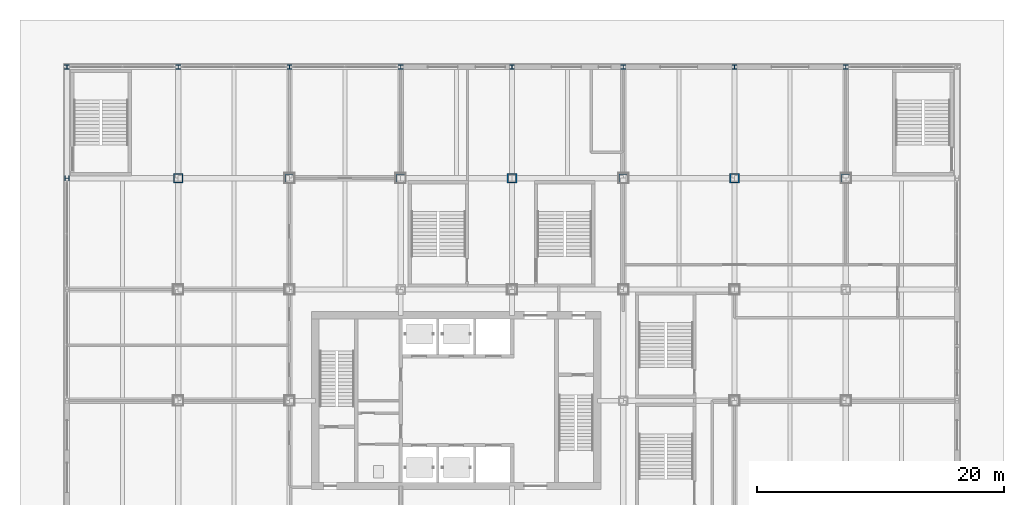
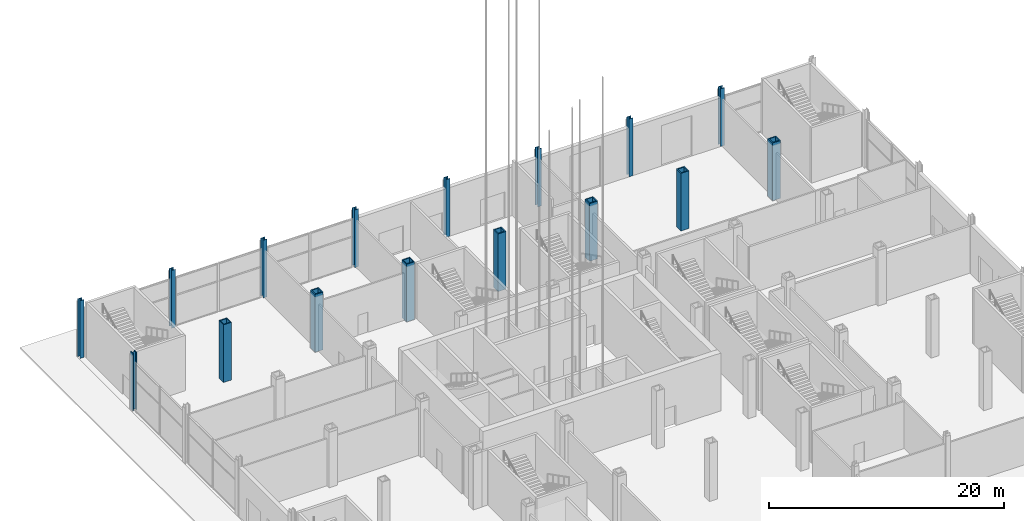
# One storey, part 4 of 34: 16 columns.
"""IFC4 building model written with IfcOpenShell, lengths in metres."""

from ifc_helpers import new_model, si_unit, direction, frame, origin, origin_2d, place, context, subcontext, project, spatial, hollow_rectangle, i_section, extrude, material, material_profile, profile_set, type_object, element, save


model = new_model("IFC4")

# Units and contexts
model_context = context("Model", 3, precision=1e-05, world=origin(), true_north=direction((0.0, 1.0)))
body_context = subcontext(model_context, "Body", "Model", "MODEL_VIEW")
ifc_project = project(units=[si_unit("LENGTHUNIT", "METRE"), si_unit("AREAUNIT", "SQUARE_METRE"), si_unit("VOLUMEUNIT", "CUBIC_METRE"), si_unit("PLANEANGLEUNIT", "RADIAN"), si_unit("MASSUNIT", "GRAM", prefix="KILO")], contexts=[model_context])

# Site, building, storey
site_placement = place(None, origin())
site = spatial("IfcSite", under=ifc_project, at=site_placement, CompositionType="ELEMENT")
building_placement = place(site_placement, origin())
building = spatial("IfcBuilding", under=site, at=building_placement, Name="Loomwork Tower", CompositionType="ELEMENT")
storey_placement = place(building_placement, origin())
storey = spatial("IfcBuildingStorey", under=building, at=storey_placement, Name="L00", CompositionType="ELEMENT", Elevation=0.0)

# Columns
ifc_material_1 = material(Name="Steel ASTM A572 Grade 50 plate", Category="steel")
ifc_material_profile_1 = material_profile(ifc_material_1, hollow_rectangle(XDim=0.800048828125, YDim=0.800048828125, WallThickness=0.10009765625, at=origin_2d()), Name="BOX800x100")
ifc_profile_set_1 = profile_set([ifc_material_profile_1], Name="Steel ASTM A572 Grade 50 plate")
column_type_1 = type_object("IfcColumnType", Name="EXOSKELETON PIER BOX800x100", PredefinedType="COLUMN", material=ifc_profile_set_1)
for number, where, z_axis, x_axis, name in (
    (1, (0.0, 36.0, 0.0), (0.0, 0.0, 1.0), (1.0, 0.0, 0.0), "Exoskeleton Pier H/2 L00"),
    (2, (9.0, 36.0, 0.0), (0.0, 0.0, 1.0), (1.0, 0.0, 0.0), "Exoskeleton Pier H/3 L00"),
    (3, (18.0, 36.0, 0.0), (0.0, 0.0, 1.0), (1.0, 0.0, 0.0), "Exoskeleton Pier H/4 L00"),
    (4, (27.0, 36.0, 0.0), (0.0, 0.0, 1.0), (1.0, 0.0, 0.0), "Exoskeleton Pier H/5 L00"),
    (5, (36.0, 36.0, 0.0), (0.0, 0.0, 1.0), (1.0, 0.0, 0.0), "Exoskeleton Pier H/6 L00"),
    (6, (45.0, 36.0, 0.0), (0.0, 0.0, 1.0), (1.0, 0.0, 0.0), "Exoskeleton Pier H/7 L00"),
    (7, (54.0, 36.0, 0.0), (0.0, 0.0, 1.0), (1.0, 0.0, 0.0), "Exoskeleton Pier H/8 L00"),
):
    element("IfcColumn", number, at=place(storey_placement, frame(where, z_axis=z_axis, x_axis=x_axis)), inside=storey, type_object=column_type_1, Name=name, PredefinedType="COLUMN", context=body_context, shape_type="SweptSolid", body=[
        extrude(hollow_rectangle(XDim=0.800048828125, YDim=0.800048828125, WallThickness=0.10009765625, at=origin_2d()), origin(), (0.0, 0.0, 1.0), 6.0),
    ])
ifc_material_2 = material(Name="Steel ASTM A992", Category="steel")
ifc_material_profile_2 = material_profile(ifc_material_2, i_section(OverallWidth=0.4013671875, OverallDepth=0.398681640625, WebThickness=0.02490234375, FlangeThickness=0.03955078125, at=origin_2d()), Name="W14x211")
ifc_profile_set_2 = profile_set([ifc_material_profile_2], Name="Steel ASTM A992")
column_type_2 = type_object("IfcColumnType", Name="PODIUM COLUMN W14x211", PredefinedType="COLUMN", material=ifc_profile_set_2)
for number, where, z_axis, x_axis, name in (
    (8, (-9.0, 36.0, 0.0), (0.0, 0.0, 1.0), (0.0, 1.0, 0.0), "Podium Column H/1 L00"),
    (9, (-9.0, 45.0, 0.0), (0.0, 0.0, 1.0), (1.0, 0.0, 0.0), "Podium Column J/1 L00"),
    (10, (0.0, 45.0, 0.0), (0.0, 0.0, 1.0), (1.0, 0.0, 0.0), "Podium Column J/2 L00"),
    (11, (9.0, 45.0, 0.0), (0.0, 0.0, 1.0), (1.0, 0.0, 0.0), "Podium Column J/3 L00"),
    (12, (18.0, 45.0, 0.0), (0.0, 0.0, 1.0), (1.0, 0.0, 0.0), "Podium Column J/4 L00"),
    (13, (27.0, 45.0, 0.0), (0.0, 0.0, 1.0), (1.0, 0.0, 0.0), "Podium Column J/5 L00"),
    (14, (36.0, 45.0, 0.0), (0.0, 0.0, 1.0), (1.0, 0.0, 0.0), "Podium Column J/6 L00"),
    (15, (45.0, 45.0, 0.0), (0.0, 0.0, 1.0), (1.0, 0.0, 0.0), "Podium Column J/7 L00"),
    (16, (54.0, 45.0, 0.0), (0.0, 0.0, 1.0), (1.0, 0.0, 0.0), "Podium Column J/8 L00"),
):
    element("IfcColumn", number, at=place(storey_placement, frame(where, z_axis=z_axis, x_axis=x_axis)), inside=storey, type_object=column_type_2, Name=name, PredefinedType="COLUMN", context=body_context, shape_type="SweptSolid", body=[
        extrude(i_section(OverallWidth=0.4013671875, OverallDepth=0.398681640625, WebThickness=0.02490234375, FlangeThickness=0.03955078125, at=origin_2d()), origin(), (0.0, 0.0, 1.0), 6.0),
    ])

save(model, "model.ifc")
